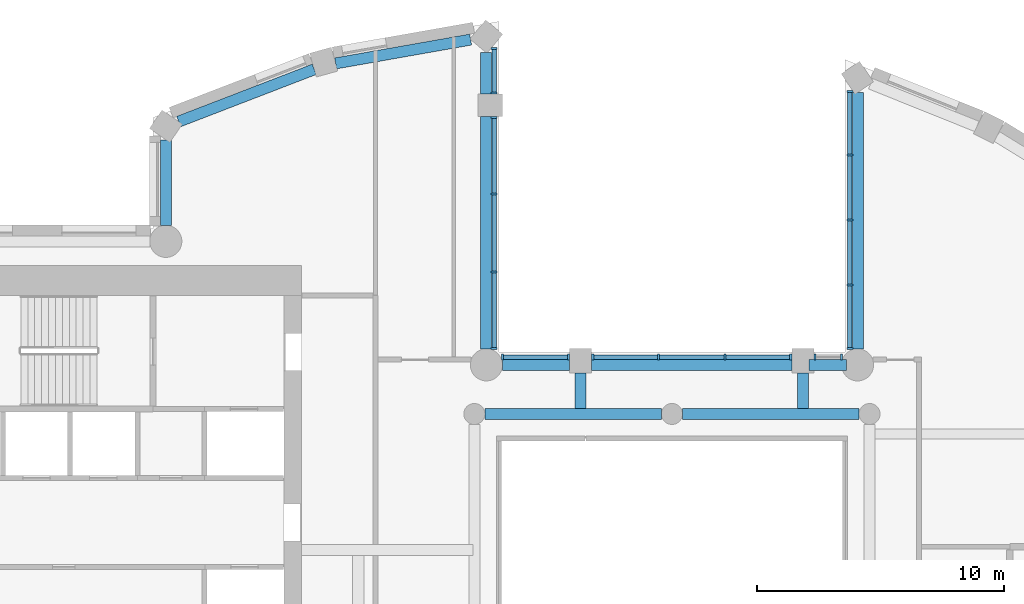
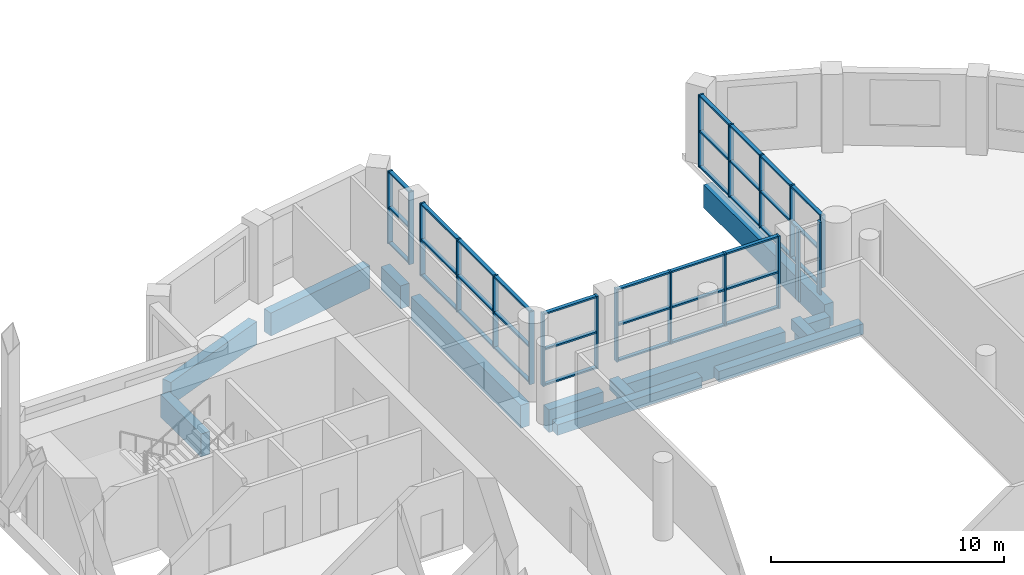
# One storey, part 3 of 18: 55 members, 13 beams, 6 elements without a shape of their own.
"""IFC4 building model written with IfcOpenShell, lengths in metres."""

from ifc_helpers import new_model, si_unit, direction, frame, origin, origin_2d, place, context, subcontext, project, spatial, rectangle, extrude, material, material_profile, profile_set, type_object, element, aggregate, save


model = new_model("IFC4")

# Units and contexts
model_context = context("Model", 3, precision=1e-05, world=origin(), true_north=direction((0.0, 1.0)))
body_context = subcontext(model_context, "Body", "Model", "MODEL_VIEW")
ifc_project = project(units=[si_unit("LENGTHUNIT", "METRE"), si_unit("AREAUNIT", "SQUARE_METRE"), si_unit("VOLUMEUNIT", "CUBIC_METRE"), si_unit("PLANEANGLEUNIT", "RADIAN"), si_unit("MASSUNIT", "GRAM", prefix="KILO")], contexts=[model_context])

# Site, building, storey
site_placement = place(None, origin())
site = spatial("IfcSite", under=ifc_project, at=site_placement, CompositionType="ELEMENT")
building_placement = place(site_placement, origin())
building = spatial("IfcBuilding", under=site, at=building_placement, Name="Cypress Arch Tower", CompositionType="ELEMENT")
storey_placement = place(building_placement, frame((0.0, 0.0, 288.5)))
storey = spatial("IfcBuildingStorey", under=building, at=storey_placement, Name="L65", CompositionType="ELEMENT", Elevation=288.5)

# Beams
ifc_material_1 = material(Name="Concrete C50/60", Category="concrete")
ifc_material_profile_1 = material_profile(ifc_material_1, rectangle(XDim=0.449951171875, YDim=0.550048828125, at=origin_2d()), Name="RC 450x550")
ifc_profile_set_1 = profile_set([ifc_material_profile_1], Name="Concrete C50/60")
beam_type_1 = type_object("IfcBeamType", Name="Floor beam RC 450x550 Concrete C50/60", PredefinedType="BEAM", material=ifc_profile_set_1)
for number, where, z_axis, x_axis, name in (
    (1, (-6.574951171875, 10.0, -0.574951171875), (1.0, 0.0, 0.0), (0.0, 1.0, 0.0), "Floor beam L65 RB007"),
    (2, (1.425048828125, 10.0, -0.574951171875), (1.0, 0.0, 0.0), (0.0, 1.0, 0.0), "Floor beam L65 RB008"),
):
    element("IfcBeam", number, at=place(storey_placement, frame(where, z_axis=z_axis, x_axis=x_axis)), inside=storey, type_object=beam_type_1, Name=name, PredefinedType="BEAM", context=body_context, shape_type="SweptSolid", body=[
        extrude(rectangle(XDim=0.449951171875, YDim=0.550048828125, at=origin_2d()), origin(), (0.0, 0.0, 1.0), 7.14990234375),
    ])
for number, where, z_axis, x_axis, name in (
    (3, (-2.699951171875, 10.22509765625, -0.574951171875), (0.0, 1.0, 0.0), (-1.0, 0.0, 0.0), "Floor beam L65 FB012"),
    (4, (6.300048828125, 10.22509765625, -0.574951171875), (0.0, 1.0, 0.0), (-1.0, 0.0, 0.0), "Floor beam L65 FB013"),
):
    element("IfcBeam", number, at=place(storey_placement, frame(where, z_axis=z_axis, x_axis=x_axis)), inside=storey, type_object=beam_type_1, Name=name, PredefinedType="BEAM", context=body_context, shape_type="SweptSolid", body=[
        extrude(rectangle(XDim=0.449951171875, YDim=0.550048828125, at=origin_2d()), origin(), (0.0, 0.0, 1.0), 1.4248046875),
    ])

# Curtain wall, members
ifc_material_2 = material(Name="Anodised aluminium, bronze finish, clear laminated double glazing", Category="aluminium")
curtain_wall_type = type_object("IfcCurtainWallType", Name="Curtain wall CW7 slot glazing", PredefinedType="NOTDEFINED", material=ifc_material_2)
curtain_wall_1_placement = place(storey_placement, origin())
curtain_wall_1 = element("IfcCurtainWall", 5, at=curtain_wall_1_placement, inside=storey, type_object=curtain_wall_type, Name="Curtain wall L65 slot C00.0", PredefinedType="NOTDEFINED")
ifc_material_3 = material(Name="Anodised aluminium, bronze finish", Category="aluminium")
ifc_material_profile_2 = material_profile(ifc_material_3, rectangle(XDim=0.239990234375, YDim=0.0849609375, at=origin_2d()), Name="Mullion 85x240")
ifc_profile_set_2 = profile_set([ifc_material_profile_2], Name="Anodised aluminium, bronze finish")
member_type_1 = type_object("IfcMemberType", Name="Mullion CW7 85x240", PredefinedType="MULLION", material=ifc_profile_set_2)
member_1_placement = place(storey_placement, frame((8.199951171875, 23.060302734375, 0.0), z_axis=(0.0, 0.0, 1.0), x_axis=(1.0, 0.0, 0.0)))
member_1 = element("IfcMember", 6, at=member_1_placement, type_object=member_type_1, Name="CW7 mullion 1", PredefinedType="MULLION", context=body_context, shape_type="SweptSolid", body=[
    extrude(rectangle(XDim=0.239990234375, YDim=0.0849609375, at=origin_2d()), origin(), (0.0, 0.0, 1.0), 3.800048828125),
])
member_2_placement = place(storey_placement, frame((8.199951171875, 20.477294921875, 0.0), z_axis=(0.0, 0.0, 1.0), x_axis=(1.0, 0.0, 0.0)))
member_2 = element("IfcMember", 7, at=member_2_placement, type_object=member_type_1, Name="CW7 mullion 2", PredefinedType="MULLION", context=body_context, shape_type="SweptSolid", body=[
    extrude(rectangle(XDim=0.239990234375, YDim=0.0849609375, at=origin_2d()), origin(), (0.0, 0.0, 1.0), 3.800048828125),
])
member_3_placement = place(storey_placement, frame((8.199951171875, 17.85205078125, 0.0), z_axis=(0.0, 0.0, 1.0), x_axis=(1.0, 0.0, 0.0)))
member_3 = element("IfcMember", 8, at=member_3_placement, type_object=member_type_1, Name="CW7 mullion 3", PredefinedType="MULLION", context=body_context, shape_type="SweptSolid", body=[
    extrude(rectangle(XDim=0.239990234375, YDim=0.0849609375, at=origin_2d()), origin(), (0.0, 0.0, 1.0), 3.800048828125),
])
member_4_placement = place(storey_placement, frame((8.199951171875, 15.226806640625, 0.0), z_axis=(0.0, 0.0, 1.0), x_axis=(1.0, 0.0, 0.0)))
member_4 = element("IfcMember", 9, at=member_4_placement, type_object=member_type_1, Name="CW7 mullion 4", PredefinedType="MULLION", context=body_context, shape_type="SweptSolid", body=[
    extrude(rectangle(XDim=0.239990234375, YDim=0.0849609375, at=origin_2d()), origin(), (0.0, 0.0, 1.0), 3.800048828125),
])
member_5_placement = place(storey_placement, frame((8.199951171875, 12.64404296875, 0.0), z_axis=(0.0, 0.0, 1.0), x_axis=(1.0, 0.0, 0.0)))
member_5 = element("IfcMember", 10, at=member_5_placement, type_object=member_type_1, Name="CW7 mullion 5", PredefinedType="MULLION", context=body_context, shape_type="SweptSolid", body=[
    extrude(rectangle(XDim=0.239990234375, YDim=0.0849609375, at=origin_2d()), origin(), (0.0, 0.0, 1.0), 3.800048828125),
])

curtain_wall_2_placement = place(storey_placement, origin())
curtain_wall_2 = element("IfcCurtainWall", 11, at=curtain_wall_2_placement, inside=storey, type_object=curtain_wall_type, Name="Curtain wall L65 slot C01.0", PredefinedType="NOTDEFINED")
member_6_placement = place(storey_placement, frame((7.85595703125, 12.300048828125, 0.0), z_axis=(0.0, 0.0, 1.0), x_axis=(0.0, -1.0, 0.0)))
member_6 = element("IfcMember", 12, at=member_6_placement, type_object=member_type_1, Name="CW7 mullion 1", PredefinedType="MULLION", context=body_context, shape_type="SweptSolid", body=[
    extrude(rectangle(XDim=0.239990234375, YDim=0.0849609375, at=origin_2d()), origin(), (0.0, 0.0, 1.0), 3.800048828125),
])
member_7_placement = place(storey_placement, frame((6.79248046875, 12.300048828125, 0.0), z_axis=(0.0, 0.0, 1.0), x_axis=(0.0, -1.0, 0.0)))
member_7 = element("IfcMember", 13, at=member_7_placement, type_object=member_type_1, Name="CW7 mullion 2", PredefinedType="MULLION", context=body_context, shape_type="SweptSolid", body=[
    extrude(rectangle(XDim=0.239990234375, YDim=0.0849609375, at=origin_2d()), origin(), (0.0, 0.0, 1.0), 3.800048828125),
])
aggregate(curtain_wall_2, [member_6, member_7])

curtain_wall_3_placement = place(storey_placement, origin())
curtain_wall_3 = element("IfcCurtainWall", 14, at=curtain_wall_3_placement, inside=storey, type_object=curtain_wall_type, Name="Curtain wall L65 slot C01.1", PredefinedType="NOTDEFINED")
member_8_placement = place(storey_placement, frame((5.8076171875, 12.300048828125, 0.0), z_axis=(0.0, 0.0, 1.0), x_axis=(0.0, -1.0, 0.0)))
member_8 = element("IfcMember", 15, at=member_8_placement, type_object=member_type_1, Name="CW7 mullion 1", PredefinedType="MULLION", context=body_context, shape_type="SweptSolid", body=[
    extrude(rectangle(XDim=0.239990234375, YDim=0.0849609375, at=origin_2d()), origin(), (0.0, 0.0, 1.0), 3.800048828125),
])
member_9_placement = place(storey_placement, frame((3.14990234375, 12.300048828125, 0.0), z_axis=(0.0, 0.0, 1.0), x_axis=(0.0, -1.0, 0.0)))
member_9 = element("IfcMember", 16, at=member_9_placement, type_object=member_type_1, Name="CW7 mullion 2", PredefinedType="MULLION", context=body_context, shape_type="SweptSolid", body=[
    extrude(rectangle(XDim=0.239990234375, YDim=0.0849609375, at=origin_2d()), origin(), (0.0, 0.0, 1.0), 3.800048828125),
])
member_10_placement = place(storey_placement, frame((0.449951171875, 12.300048828125, 0.0), z_axis=(0.0, 0.0, 1.0), x_axis=(0.0, -1.0, 0.0)))
member_10 = element("IfcMember", 17, at=member_10_placement, type_object=member_type_1, Name="CW7 mullion 3", PredefinedType="MULLION", context=body_context, shape_type="SweptSolid", body=[
    extrude(rectangle(XDim=0.239990234375, YDim=0.0849609375, at=origin_2d()), origin(), (0.0, 0.0, 1.0), 3.800048828125),
])
member_11_placement = place(storey_placement, frame((-2.20751953125, 12.300048828125, 0.0), z_axis=(0.0, 0.0, 1.0), x_axis=(0.0, -1.0, 0.0)))
member_11 = element("IfcMember", 18, at=member_11_placement, type_object=member_type_1, Name="CW7 mullion 4", PredefinedType="MULLION", context=body_context, shape_type="SweptSolid", body=[
    extrude(rectangle(XDim=0.239990234375, YDim=0.0849609375, at=origin_2d()), origin(), (0.0, 0.0, 1.0), 3.800048828125),
])

curtain_wall_4_placement = place(storey_placement, origin())
curtain_wall_4 = element("IfcCurtainWall", 19, at=curtain_wall_4_placement, inside=storey, type_object=curtain_wall_type, Name="Curtain wall L65 slot C01.2", PredefinedType="NOTDEFINED")
member_12_placement = place(storey_placement, frame((-3.1923828125, 12.300048828125, 0.0), z_axis=(0.0, 0.0, 1.0), x_axis=(0.0, -1.0, 0.0)))
member_12 = element("IfcMember", 20, at=member_12_placement, type_object=member_type_1, Name="CW7 mullion 1", PredefinedType="MULLION", context=body_context, shape_type="SweptSolid", body=[
    extrude(rectangle(XDim=0.239990234375, YDim=0.0849609375, at=origin_2d()), origin(), (0.0, 0.0, 1.0), 3.800048828125),
])
member_13_placement = place(storey_placement, frame((-5.85595703125, 12.300048828125, 0.0), z_axis=(0.0, 0.0, 1.0), x_axis=(0.0, -1.0, 0.0)))
member_13 = element("IfcMember", 21, at=member_13_placement, type_object=member_type_1, Name="CW7 mullion 2", PredefinedType="MULLION", context=body_context, shape_type="SweptSolid", body=[
    extrude(rectangle(XDim=0.239990234375, YDim=0.0849609375, at=origin_2d()), origin(), (0.0, 0.0, 1.0), 3.800048828125),
])

curtain_wall_5_placement = place(storey_placement, origin())
curtain_wall_5 = element("IfcCurtainWall", 22, at=curtain_wall_5_placement, inside=storey, type_object=curtain_wall_type, Name="Curtain wall L65 slot C02.0", PredefinedType="NOTDEFINED")
member_14_placement = place(storey_placement, frame((-6.199951171875, 12.64404296875, 0.0), z_axis=(0.0, 0.0, 1.0), x_axis=(-1.0, 0.0, 0.0)))
member_14 = element("IfcMember", 23, at=member_14_placement, type_object=member_type_1, Name="CW7 mullion 1", PredefinedType="MULLION", context=body_context, shape_type="SweptSolid", body=[
    extrude(rectangle(XDim=0.239990234375, YDim=0.0849609375, at=origin_2d()), origin(), (0.0, 0.0, 1.0), 3.800048828125),
])
member_15_placement = place(storey_placement, frame((-6.199951171875, 15.7509765625, 0.0), z_axis=(0.0, 0.0, 1.0), x_axis=(-1.0, 0.0, 0.0)))
member_15 = element("IfcMember", 24, at=member_15_placement, type_object=member_type_1, Name="CW7 mullion 2", PredefinedType="MULLION", context=body_context, shape_type="SweptSolid", body=[
    extrude(rectangle(XDim=0.239990234375, YDim=0.0849609375, at=origin_2d()), origin(), (0.0, 0.0, 1.0), 3.800048828125),
])
member_16_placement = place(storey_placement, frame((-6.199951171875, 18.900390625, 0.0), z_axis=(0.0, 0.0, 1.0), x_axis=(-1.0, 0.0, 0.0)))
member_16 = element("IfcMember", 25, at=member_16_placement, type_object=member_type_1, Name="CW7 mullion 3", PredefinedType="MULLION", context=body_context, shape_type="SweptSolid", body=[
    extrude(rectangle(XDim=0.239990234375, YDim=0.0849609375, at=origin_2d()), origin(), (0.0, 0.0, 1.0), 3.800048828125),
])
member_17_placement = place(storey_placement, frame((-6.199951171875, 22.007568359375, 0.0), z_axis=(0.0, 0.0, 1.0), x_axis=(-1.0, 0.0, 0.0)))
member_17 = element("IfcMember", 26, at=member_17_placement, type_object=member_type_1, Name="CW7 mullion 4", PredefinedType="MULLION", context=body_context, shape_type="SweptSolid", body=[
    extrude(rectangle(XDim=0.239990234375, YDim=0.0849609375, at=origin_2d()), origin(), (0.0, 0.0, 1.0), 3.800048828125),
])

curtain_wall_6_placement = place(storey_placement, origin())
curtain_wall_6 = element("IfcCurtainWall", 27, at=curtain_wall_6_placement, inside=storey, type_object=curtain_wall_type, Name="Curtain wall L65 slot C02.1", PredefinedType="NOTDEFINED")
member_18_placement = place(storey_placement, frame((-6.199951171875, 22.992431640625, 0.0), z_axis=(0.0, 0.0, 1.0), x_axis=(-1.0, 0.0, 0.0)))
member_18 = element("IfcMember", 28, at=member_18_placement, type_object=member_type_1, Name="CW7 mullion 1", PredefinedType="MULLION", context=body_context, shape_type="SweptSolid", body=[
    extrude(rectangle(XDim=0.239990234375, YDim=0.0849609375, at=origin_2d()), origin(), (0.0, 0.0, 1.0), 3.800048828125),
])
member_19_placement = place(storey_placement, frame((-6.199951171875, 24.789794921875, 0.0), z_axis=(0.0, 0.0, 1.0), x_axis=(-1.0, 0.0, 0.0)))
member_19 = element("IfcMember", 29, at=member_19_placement, type_object=member_type_1, Name="CW7 mullion 2", PredefinedType="MULLION", context=body_context, shape_type="SweptSolid", body=[
    extrude(rectangle(XDim=0.239990234375, YDim=0.0849609375, at=origin_2d()), origin(), (0.0, 0.0, 1.0), 3.800048828125),
])

# Beams
ifc_material_4 = material(Name="Concrete C50/60", Category="concrete")
ifc_material_profile_3 = material_profile(ifc_material_4, rectangle(XDim=0.449951171875, YDim=1.199951171875, at=origin_2d()), Name="RC 450x1200")
ifc_profile_set_3 = profile_set([ifc_material_profile_3], Name="Concrete C50/60")
beam_type_2 = type_object("IfcBeamType", Name="Spandrel beam RC 450x1200 Concrete C50/60", PredefinedType="SPANDREL", material=ifc_profile_set_3)
beam_1_placement = place(storey_placement, frame((8.52490234375, 23.017578125, -1.550048828125), z_axis=(0.0, -1.0, 0.0), x_axis=(1.0, 0.0, 0.0)))
element("IfcBeam", 30, at=beam_1_placement, inside=storey, type_object=beam_type_2, Name="Spandrel beam L65 BC00-0", PredefinedType="SPANDREL", context=body_context, shape_type="SweptSolid", body=[
    extrude(rectangle(XDim=0.449951171875, YDim=1.199951171875, at=origin_2d()), origin(), (0.0, 0.0, 1.0), 10.380126953125),
])
beam_2_placement = place(storey_placement, frame((8.05615234375, 11.97509765625, -1.550048828125), z_axis=(-1.0, 0.0, 0.0), x_axis=(0.0, -1.0, 0.0)))
element("IfcBeam", 31, at=beam_2_placement, inside=storey, type_object=beam_type_2, Name="Spandrel beam L65 BC01-0", PredefinedType="SPANDREL", context=body_context, shape_type="SweptSolid", body=[
    extrude(rectangle(XDim=0.449951171875, YDim=1.199951171875, at=origin_2d()), origin(), (0.0, 0.0, 1.0), 1.5),
])
beam_3_placement = place(storey_placement, frame((5.85009765625, 11.97509765625, -1.550048828125), z_axis=(-1.0, 0.0, 0.0), x_axis=(0.0, -1.0, 0.0)))
element("IfcBeam", 32, at=beam_3_placement, inside=storey, type_object=beam_type_2, Name="Spandrel beam L65 BC01-1", PredefinedType="SPANDREL", context=body_context, shape_type="SweptSolid", body=[
    extrude(rectangle(XDim=0.449951171875, YDim=1.199951171875, at=origin_2d()), origin(), (0.0, 0.0, 1.0), 8.10009765625),
])
beam_4_placement = place(storey_placement, frame((-3.14990234375, 11.97509765625, -1.550048828125), z_axis=(-1.0, 0.0, 0.0), x_axis=(0.0, -1.0, 0.0)))
element("IfcBeam", 33, at=beam_4_placement, inside=storey, type_object=beam_type_2, Name="Spandrel beam L65 BC01-2", PredefinedType="SPANDREL", context=body_context, shape_type="SweptSolid", body=[
    extrude(rectangle(XDim=0.449951171875, YDim=1.199951171875, at=origin_2d()), origin(), (0.0, 0.0, 1.0), 2.712646484375),
])
beam_5_placement = place(storey_placement, frame((-6.52490234375, 12.637451171875, -1.550048828125), z_axis=(0.0, 1.0, 0.0), x_axis=(-1.0, 0.0, 0.0)))
element("IfcBeam", 34, at=beam_5_placement, inside=storey, type_object=beam_type_2, Name="Spandrel beam L65 BC02-0", PredefinedType="SPANDREL", context=body_context, shape_type="SweptSolid", body=[
    extrude(rectangle(XDim=0.449951171875, YDim=1.199951171875, at=origin_2d()), origin(), (0.0, 0.0, 1.0), 9.41259765625),
])
beam_6_placement = place(storey_placement, frame((-6.52490234375, 22.949951171875, -1.550048828125), z_axis=(0.0, 1.0, 0.0), x_axis=(-1.0, 0.0, 0.0)))
element("IfcBeam", 35, at=beam_6_placement, inside=storey, type_object=beam_type_2, Name="Spandrel beam L65 BC02-1", PredefinedType="SPANDREL", context=body_context, shape_type="SweptSolid", body=[
    extrude(rectangle(XDim=0.449951171875, YDim=1.199951171875, at=origin_2d()), origin(), (0.0, 0.0, 1.0), 1.6796875),
])
beam_7_placement = place(storey_placement, frame((-7.14990234375, 25.154052734375, -1.550048828125), z_axis=(-0.984800388539, -0.173689938494, 0.0), x_axis=(0.173689938494, -0.984800388539, 0.0)))
element("IfcBeam", 36, at=beam_7_placement, inside=storey, type_object=beam_type_2, Name="Spandrel beam L65 BC03-0", PredefinedType="SPANDREL", context=body_context, shape_type="SweptSolid", body=[
    extrude(rectangle(XDim=0.449951171875, YDim=1.199951171875, at=origin_2d()), origin(), (0.0, 0.0, 1.0), 5.5478515625),
])
beam_8_placement = place(storey_placement, frame((-13.48046875, 23.94921875, -1.550048828125), z_axis=(-0.933138853319, -0.359516175472, 0.0), x_axis=(0.359516175472, -0.933138853319, 0.0)))
element("IfcBeam", 37, at=beam_8_placement, inside=storey, type_object=beam_type_2, Name="Spandrel beam L65 BC04-0", PredefinedType="SPANDREL", context=body_context, shape_type="SweptSolid", body=[
    extrude(rectangle(XDim=0.449951171875, YDim=1.199951171875, at=origin_2d()), origin(), (0.0, 0.0, 1.0), 5.878173828125),
])
beam_9_placement = place(storey_placement, frame((-19.47509765625, 21.09375, -1.550048828125), z_axis=(0.0, -1.0, 0.0), x_axis=(1.0, 0.0, 0.0)))
element("IfcBeam", 38, at=beam_9_placement, inside=storey, type_object=beam_type_2, Name="Spandrel beam L65 BC05-0", PredefinedType="SPANDREL", context=body_context, shape_type="SweptSolid", body=[
    extrude(rectangle(XDim=0.449951171875, YDim=1.199951171875, at=origin_2d()), origin(), (0.0, 0.0, 1.0), 3.456298828125),
])

# Member
ifc_material_5 = material(Name="Anodised aluminium, bronze finish", Category="aluminium")
ifc_material_profile_4 = material_profile(ifc_material_5, rectangle(XDim=0.179931640625, YDim=0.0849609375, at=origin_2d()), Name="Transom 85x180")
ifc_profile_set_4 = profile_set([ifc_material_profile_4], Name="Anodised aluminium, bronze finish")
member_type_2 = type_object("IfcMemberType", Name="Transom CW7 85x180", PredefinedType="USERDEFINED", material=ifc_profile_set_4)
member_20_placement = place(storey_placement, frame((8.199951171875, 23.017578125, 0.04248046875), z_axis=(0.0, -1.0, 0.0), x_axis=(1.0, 0.0, 0.0)))
member_20 = element("IfcMember", 39, at=member_20_placement, type_object=member_type_2, Name="CW7 transom 1.1", ObjectType="TRANSOM", PredefinedType="USERDEFINED", context=body_context, shape_type="SweptSolid", body=[
    extrude(rectangle(XDim=0.179931640625, YDim=0.0849609375, at=origin_2d()), origin(), (0.0, 0.0, 1.0), 2.497802734375),
])

member_21_placement = place(storey_placement, frame((8.199951171875, 23.017578125, 1.89990234375), z_axis=(0.0, -1.0, 0.0), x_axis=(1.0, 0.0, 0.0)))
member_21 = element("IfcMember", 40, at=member_21_placement, type_object=member_type_2, Name="CW7 transom 1.2", ObjectType="TRANSOM", PredefinedType="USERDEFINED", context=body_context, shape_type="SweptSolid", body=[
    extrude(rectangle(XDim=0.179931640625, YDim=0.0849609375, at=origin_2d()), origin(), (0.0, 0.0, 1.0), 2.497802734375),
])

member_22_placement = place(storey_placement, frame((8.199951171875, 23.017578125, 3.757568359375), z_axis=(0.0, -1.0, 0.0), x_axis=(1.0, 0.0, 0.0)))
member_22 = element("IfcMember", 41, at=member_22_placement, type_object=member_type_2, Name="CW7 transom 1.3", ObjectType="TRANSOM", PredefinedType="USERDEFINED", context=body_context, shape_type="SweptSolid", body=[
    extrude(rectangle(XDim=0.179931640625, YDim=0.0849609375, at=origin_2d()), origin(), (0.0, 0.0, 1.0), 2.497802734375),
])

member_23_placement = place(storey_placement, frame((8.199951171875, 20.434814453125, 0.04248046875), z_axis=(0.0, -1.0, 0.0), x_axis=(1.0, 0.0, 0.0)))
member_23 = element("IfcMember", 42, at=member_23_placement, type_object=member_type_2, Name="CW7 transom 2.1", ObjectType="TRANSOM", PredefinedType="USERDEFINED", context=body_context, shape_type="SweptSolid", body=[
    extrude(rectangle(XDim=0.179931640625, YDim=0.0849609375, at=origin_2d()), origin(), (0.0, 0.0, 1.0), 2.540283203125),
])

member_24_placement = place(storey_placement, frame((8.199951171875, 20.434814453125, 1.89990234375), z_axis=(0.0, -1.0, 0.0), x_axis=(1.0, 0.0, 0.0)))
member_24 = element("IfcMember", 43, at=member_24_placement, type_object=member_type_2, Name="CW7 transom 2.2", ObjectType="TRANSOM", PredefinedType="USERDEFINED", context=body_context, shape_type="SweptSolid", body=[
    extrude(rectangle(XDim=0.179931640625, YDim=0.0849609375, at=origin_2d()), origin(), (0.0, 0.0, 1.0), 2.540283203125),
])

member_25_placement = place(storey_placement, frame((8.199951171875, 20.434814453125, 3.757568359375), z_axis=(0.0, -1.0, 0.0), x_axis=(1.0, 0.0, 0.0)))
member_25 = element("IfcMember", 44, at=member_25_placement, type_object=member_type_2, Name="CW7 transom 2.3", ObjectType="TRANSOM", PredefinedType="USERDEFINED", context=body_context, shape_type="SweptSolid", body=[
    extrude(rectangle(XDim=0.179931640625, YDim=0.0849609375, at=origin_2d()), origin(), (0.0, 0.0, 1.0), 2.540283203125),
])

member_26_placement = place(storey_placement, frame((8.199951171875, 17.8095703125, 0.04248046875), z_axis=(0.0, -1.0, 0.0), x_axis=(1.0, 0.0, 0.0)))
member_26 = element("IfcMember", 45, at=member_26_placement, type_object=member_type_2, Name="CW7 transom 3.1", ObjectType="TRANSOM", PredefinedType="USERDEFINED", context=body_context, shape_type="SweptSolid", body=[
    extrude(rectangle(XDim=0.179931640625, YDim=0.0849609375, at=origin_2d()), origin(), (0.0, 0.0, 1.0), 2.540283203125),
])

member_27_placement = place(storey_placement, frame((8.199951171875, 17.8095703125, 1.89990234375), z_axis=(0.0, -1.0, 0.0), x_axis=(1.0, 0.0, 0.0)))
member_27 = element("IfcMember", 46, at=member_27_placement, type_object=member_type_2, Name="CW7 transom 3.2", ObjectType="TRANSOM", PredefinedType="USERDEFINED", context=body_context, shape_type="SweptSolid", body=[
    extrude(rectangle(XDim=0.179931640625, YDim=0.0849609375, at=origin_2d()), origin(), (0.0, 0.0, 1.0), 2.540283203125),
])

member_28_placement = place(storey_placement, frame((8.199951171875, 17.8095703125, 3.757568359375), z_axis=(0.0, -1.0, 0.0), x_axis=(1.0, 0.0, 0.0)))
member_28 = element("IfcMember", 47, at=member_28_placement, type_object=member_type_2, Name="CW7 transom 3.3", ObjectType="TRANSOM", PredefinedType="USERDEFINED", context=body_context, shape_type="SweptSolid", body=[
    extrude(rectangle(XDim=0.179931640625, YDim=0.0849609375, at=origin_2d()), origin(), (0.0, 0.0, 1.0), 2.540283203125),
])

member_29_placement = place(storey_placement, frame((8.199951171875, 15.184326171875, 0.04248046875), z_axis=(0.0, -1.0, 0.0), x_axis=(1.0, 0.0, 0.0)))
member_29 = element("IfcMember", 48, at=member_29_placement, type_object=member_type_2, Name="CW7 transom 4.1", ObjectType="TRANSOM", PredefinedType="USERDEFINED", context=body_context, shape_type="SweptSolid", body=[
    extrude(rectangle(XDim=0.179931640625, YDim=0.0849609375, at=origin_2d()), origin(), (0.0, 0.0, 1.0), 2.497802734375),
])

member_30_placement = place(storey_placement, frame((8.199951171875, 15.184326171875, 1.89990234375), z_axis=(0.0, -1.0, 0.0), x_axis=(1.0, 0.0, 0.0)))
member_30 = element("IfcMember", 49, at=member_30_placement, type_object=member_type_2, Name="CW7 transom 4.2", ObjectType="TRANSOM", PredefinedType="USERDEFINED", context=body_context, shape_type="SweptSolid", body=[
    extrude(rectangle(XDim=0.179931640625, YDim=0.0849609375, at=origin_2d()), origin(), (0.0, 0.0, 1.0), 2.497802734375),
])

member_31_placement = place(storey_placement, frame((8.199951171875, 15.184326171875, 3.757568359375), z_axis=(0.0, -1.0, 0.0), x_axis=(1.0, 0.0, 0.0)))
member_31 = element("IfcMember", 50, at=member_31_placement, type_object=member_type_2, Name="CW7 transom 4.3", ObjectType="TRANSOM", PredefinedType="USERDEFINED", context=body_context, shape_type="SweptSolid", body=[
    extrude(rectangle(XDim=0.179931640625, YDim=0.0849609375, at=origin_2d()), origin(), (0.0, 0.0, 1.0), 2.497802734375),
])

aggregate(curtain_wall_1, [member_1, member_2, member_3, member_4, member_5, member_20, member_21, member_22, member_23, member_24, member_25, member_26, member_27, member_28, member_29, member_30, member_31])

member_32_placement = place(storey_placement, frame((5.764892578125, 12.300048828125, 0.04248046875), z_axis=(-1.0, 0.0, 0.0), x_axis=(0.0, -1.0, 0.0)))
member_32 = element("IfcMember", 51, at=member_32_placement, type_object=member_type_2, Name="CW7 transom 1.1", ObjectType="TRANSOM", PredefinedType="USERDEFINED", context=body_context, shape_type="SweptSolid", body=[
    extrude(rectangle(XDim=0.179931640625, YDim=0.0849609375, at=origin_2d()), origin(), (0.0, 0.0, 1.0), 2.572509765625),
])

member_33_placement = place(storey_placement, frame((5.764892578125, 12.300048828125, 1.89990234375), z_axis=(-1.0, 0.0, 0.0), x_axis=(0.0, -1.0, 0.0)))
member_33 = element("IfcMember", 52, at=member_33_placement, type_object=member_type_2, Name="CW7 transom 1.2", ObjectType="TRANSOM", PredefinedType="USERDEFINED", context=body_context, shape_type="SweptSolid", body=[
    extrude(rectangle(XDim=0.179931640625, YDim=0.0849609375, at=origin_2d()), origin(), (0.0, 0.0, 1.0), 2.572509765625),
])

member_34_placement = place(storey_placement, frame((5.764892578125, 12.300048828125, 3.757568359375), z_axis=(-1.0, 0.0, 0.0), x_axis=(0.0, -1.0, 0.0)))
member_34 = element("IfcMember", 53, at=member_34_placement, type_object=member_type_2, Name="CW7 transom 1.3", ObjectType="TRANSOM", PredefinedType="USERDEFINED", context=body_context, shape_type="SweptSolid", body=[
    extrude(rectangle(XDim=0.179931640625, YDim=0.0849609375, at=origin_2d()), origin(), (0.0, 0.0, 1.0), 2.572509765625),
])

member_35_placement = place(storey_placement, frame((3.107421875, 12.300048828125, 0.04248046875), z_axis=(-1.0, 0.0, 0.0), x_axis=(0.0, -1.0, 0.0)))
member_35 = element("IfcMember", 54, at=member_35_placement, type_object=member_type_2, Name="CW7 transom 2.1", ObjectType="TRANSOM", PredefinedType="USERDEFINED", context=body_context, shape_type="SweptSolid", body=[
    extrude(rectangle(XDim=0.179931640625, YDim=0.0849609375, at=origin_2d()), origin(), (0.0, 0.0, 1.0), 2.614990234375),
])

member_36_placement = place(storey_placement, frame((3.107421875, 12.300048828125, 1.89990234375), z_axis=(-1.0, 0.0, 0.0), x_axis=(0.0, -1.0, 0.0)))
member_36 = element("IfcMember", 55, at=member_36_placement, type_object=member_type_2, Name="CW7 transom 2.2", ObjectType="TRANSOM", PredefinedType="USERDEFINED", context=body_context, shape_type="SweptSolid", body=[
    extrude(rectangle(XDim=0.179931640625, YDim=0.0849609375, at=origin_2d()), origin(), (0.0, 0.0, 1.0), 2.614990234375),
])

member_37_placement = place(storey_placement, frame((3.107421875, 12.300048828125, 3.757568359375), z_axis=(-1.0, 0.0, 0.0), x_axis=(0.0, -1.0, 0.0)))
member_37 = element("IfcMember", 56, at=member_37_placement, type_object=member_type_2, Name="CW7 transom 2.3", ObjectType="TRANSOM", PredefinedType="USERDEFINED", context=body_context, shape_type="SweptSolid", body=[
    extrude(rectangle(XDim=0.179931640625, YDim=0.0849609375, at=origin_2d()), origin(), (0.0, 0.0, 1.0), 2.614990234375),
])

member_38_placement = place(storey_placement, frame((0.407470703125, 12.300048828125, 0.04248046875), z_axis=(-1.0, 0.0, 0.0), x_axis=(0.0, -1.0, 0.0)))
member_38 = element("IfcMember", 57, at=member_38_placement, type_object=member_type_2, Name="CW7 transom 3.1", ObjectType="TRANSOM", PredefinedType="USERDEFINED", context=body_context, shape_type="SweptSolid", body=[
    extrude(rectangle(XDim=0.179931640625, YDim=0.0849609375, at=origin_2d()), origin(), (0.0, 0.0, 1.0), 2.572509765625),
])

member_39_placement = place(storey_placement, frame((0.407470703125, 12.300048828125, 1.89990234375), z_axis=(-1.0, 0.0, 0.0), x_axis=(0.0, -1.0, 0.0)))
member_39 = element("IfcMember", 58, at=member_39_placement, type_object=member_type_2, Name="CW7 transom 3.2", ObjectType="TRANSOM", PredefinedType="USERDEFINED", context=body_context, shape_type="SweptSolid", body=[
    extrude(rectangle(XDim=0.179931640625, YDim=0.0849609375, at=origin_2d()), origin(), (0.0, 0.0, 1.0), 2.572509765625),
])

member_40_placement = place(storey_placement, frame((0.407470703125, 12.300048828125, 3.757568359375), z_axis=(-1.0, 0.0, 0.0), x_axis=(0.0, -1.0, 0.0)))
member_40 = element("IfcMember", 59, at=member_40_placement, type_object=member_type_2, Name="CW7 transom 3.3", ObjectType="TRANSOM", PredefinedType="USERDEFINED", context=body_context, shape_type="SweptSolid", body=[
    extrude(rectangle(XDim=0.179931640625, YDim=0.0849609375, at=origin_2d()), origin(), (0.0, 0.0, 1.0), 2.572509765625),
])

aggregate(curtain_wall_3, [member_8, member_9, member_10, member_11, member_32, member_33, member_34, member_35, member_36, member_37, member_38, member_39, member_40])

member_41_placement = place(storey_placement, frame((-3.235107421875, 12.300048828125, 0.04248046875), z_axis=(-1.0, 0.0, 0.0), x_axis=(0.0, -1.0, 0.0)))
member_41 = element("IfcMember", 60, at=member_41_placement, type_object=member_type_2, Name="CW7 transom 1.1", ObjectType="TRANSOM", PredefinedType="USERDEFINED", context=body_context, shape_type="SweptSolid", body=[
    extrude(rectangle(XDim=0.179931640625, YDim=0.0849609375, at=origin_2d()), origin(), (0.0, 0.0, 1.0), 2.578369140625),
])

member_42_placement = place(storey_placement, frame((-3.235107421875, 12.300048828125, 1.89990234375), z_axis=(-1.0, 0.0, 0.0), x_axis=(0.0, -1.0, 0.0)))
member_42 = element("IfcMember", 61, at=member_42_placement, type_object=member_type_2, Name="CW7 transom 1.2", ObjectType="TRANSOM", PredefinedType="USERDEFINED", context=body_context, shape_type="SweptSolid", body=[
    extrude(rectangle(XDim=0.179931640625, YDim=0.0849609375, at=origin_2d()), origin(), (0.0, 0.0, 1.0), 2.578369140625),
])

member_43_placement = place(storey_placement, frame((-3.235107421875, 12.300048828125, 3.757568359375), z_axis=(-1.0, 0.0, 0.0), x_axis=(0.0, -1.0, 0.0)))
member_43 = element("IfcMember", 62, at=member_43_placement, type_object=member_type_2, Name="CW7 transom 1.3", ObjectType="TRANSOM", PredefinedType="USERDEFINED", context=body_context, shape_type="SweptSolid", body=[
    extrude(rectangle(XDim=0.179931640625, YDim=0.0849609375, at=origin_2d()), origin(), (0.0, 0.0, 1.0), 2.578369140625),
])

aggregate(curtain_wall_4, [member_12, member_13, member_41, member_42, member_43])

member_44_placement = place(storey_placement, frame((-6.199951171875, 12.6865234375, 0.04248046875), z_axis=(0.0, 1.0, 0.0), x_axis=(-1.0, 0.0, 0.0)))
member_44 = element("IfcMember", 63, at=member_44_placement, type_object=member_type_2, Name="CW7 transom 1.1", ObjectType="TRANSOM", PredefinedType="USERDEFINED", context=body_context, shape_type="SweptSolid", body=[
    extrude(rectangle(XDim=0.179931640625, YDim=0.0849609375, at=origin_2d()), origin(), (0.0, 0.0, 1.0), 3.02197265625),
])

member_45_placement = place(storey_placement, frame((-6.199951171875, 12.6865234375, 1.89990234375), z_axis=(0.0, 1.0, 0.0), x_axis=(-1.0, 0.0, 0.0)))
member_45 = element("IfcMember", 64, at=member_45_placement, type_object=member_type_2, Name="CW7 transom 1.2", ObjectType="TRANSOM", PredefinedType="USERDEFINED", context=body_context, shape_type="SweptSolid", body=[
    extrude(rectangle(XDim=0.179931640625, YDim=0.0849609375, at=origin_2d()), origin(), (0.0, 0.0, 1.0), 3.02197265625),
])

member_46_placement = place(storey_placement, frame((-6.199951171875, 12.6865234375, 3.757568359375), z_axis=(0.0, 1.0, 0.0), x_axis=(-1.0, 0.0, 0.0)))
member_46 = element("IfcMember", 65, at=member_46_placement, type_object=member_type_2, Name="CW7 transom 1.3", ObjectType="TRANSOM", PredefinedType="USERDEFINED", context=body_context, shape_type="SweptSolid", body=[
    extrude(rectangle(XDim=0.179931640625, YDim=0.0849609375, at=origin_2d()), origin(), (0.0, 0.0, 1.0), 3.02197265625),
])

member_47_placement = place(storey_placement, frame((-6.199951171875, 15.79345703125, 0.04248046875), z_axis=(0.0, 1.0, 0.0), x_axis=(-1.0, 0.0, 0.0)))
member_47 = element("IfcMember", 66, at=member_47_placement, type_object=member_type_2, Name="CW7 transom 2.1", ObjectType="TRANSOM", PredefinedType="USERDEFINED", context=body_context, shape_type="SweptSolid", body=[
    extrude(rectangle(XDim=0.179931640625, YDim=0.0849609375, at=origin_2d()), origin(), (0.0, 0.0, 1.0), 3.064453125),
])

member_48_placement = place(storey_placement, frame((-6.199951171875, 15.79345703125, 1.89990234375), z_axis=(0.0, 1.0, 0.0), x_axis=(-1.0, 0.0, 0.0)))
member_48 = element("IfcMember", 67, at=member_48_placement, type_object=member_type_2, Name="CW7 transom 2.2", ObjectType="TRANSOM", PredefinedType="USERDEFINED", context=body_context, shape_type="SweptSolid", body=[
    extrude(rectangle(XDim=0.179931640625, YDim=0.0849609375, at=origin_2d()), origin(), (0.0, 0.0, 1.0), 3.064453125),
])

member_49_placement = place(storey_placement, frame((-6.199951171875, 15.79345703125, 3.757568359375), z_axis=(0.0, 1.0, 0.0), x_axis=(-1.0, 0.0, 0.0)))
member_49 = element("IfcMember", 68, at=member_49_placement, type_object=member_type_2, Name="CW7 transom 2.3", ObjectType="TRANSOM", PredefinedType="USERDEFINED", context=body_context, shape_type="SweptSolid", body=[
    extrude(rectangle(XDim=0.179931640625, YDim=0.0849609375, at=origin_2d()), origin(), (0.0, 0.0, 1.0), 3.064453125),
])

member_50_placement = place(storey_placement, frame((-6.199951171875, 18.943115234375, 0.04248046875), z_axis=(0.0, 1.0, 0.0), x_axis=(-1.0, 0.0, 0.0)))
member_50 = element("IfcMember", 69, at=member_50_placement, type_object=member_type_2, Name="CW7 transom 3.1", ObjectType="TRANSOM", PredefinedType="USERDEFINED", context=body_context, shape_type="SweptSolid", body=[
    extrude(rectangle(XDim=0.179931640625, YDim=0.0849609375, at=origin_2d()), origin(), (0.0, 0.0, 1.0), 3.02197265625),
])

member_51_placement = place(storey_placement, frame((-6.199951171875, 18.943115234375, 1.89990234375), z_axis=(0.0, 1.0, 0.0), x_axis=(-1.0, 0.0, 0.0)))
member_51 = element("IfcMember", 70, at=member_51_placement, type_object=member_type_2, Name="CW7 transom 3.2", ObjectType="TRANSOM", PredefinedType="USERDEFINED", context=body_context, shape_type="SweptSolid", body=[
    extrude(rectangle(XDim=0.179931640625, YDim=0.0849609375, at=origin_2d()), origin(), (0.0, 0.0, 1.0), 3.02197265625),
])

member_52_placement = place(storey_placement, frame((-6.199951171875, 18.943115234375, 3.757568359375), z_axis=(0.0, 1.0, 0.0), x_axis=(-1.0, 0.0, 0.0)))
member_52 = element("IfcMember", 71, at=member_52_placement, type_object=member_type_2, Name="CW7 transom 3.3", ObjectType="TRANSOM", PredefinedType="USERDEFINED", context=body_context, shape_type="SweptSolid", body=[
    extrude(rectangle(XDim=0.179931640625, YDim=0.0849609375, at=origin_2d()), origin(), (0.0, 0.0, 1.0), 3.02197265625),
])

aggregate(curtain_wall_5, [member_14, member_15, member_16, member_17, member_44, member_45, member_46, member_47, member_48, member_49, member_50, member_51, member_52])

member_53_placement = place(storey_placement, frame((-6.199951171875, 23.034912109375, 0.04248046875), z_axis=(0.0, 1.0, 0.0), x_axis=(-1.0, 0.0, 0.0)))
member_53 = element("IfcMember", 72, at=member_53_placement, type_object=member_type_2, Name="CW7 transom 1.1", ObjectType="TRANSOM", PredefinedType="USERDEFINED", context=body_context, shape_type="SweptSolid", body=[
    extrude(rectangle(XDim=0.179931640625, YDim=0.0849609375, at=origin_2d()), origin(), (0.0, 0.0, 1.0), 1.71240234375),
])

member_54_placement = place(storey_placement, frame((-6.199951171875, 23.034912109375, 1.89990234375), z_axis=(0.0, 1.0, 0.0), x_axis=(-1.0, 0.0, 0.0)))
member_54 = element("IfcMember", 73, at=member_54_placement, type_object=member_type_2, Name="CW7 transom 1.2", ObjectType="TRANSOM", PredefinedType="USERDEFINED", context=body_context, shape_type="SweptSolid", body=[
    extrude(rectangle(XDim=0.179931640625, YDim=0.0849609375, at=origin_2d()), origin(), (0.0, 0.0, 1.0), 1.71240234375),
])

member_55_placement = place(storey_placement, frame((-6.199951171875, 23.034912109375, 3.757568359375), z_axis=(0.0, 1.0, 0.0), x_axis=(-1.0, 0.0, 0.0)))
member_55 = element("IfcMember", 74, at=member_55_placement, type_object=member_type_2, Name="CW7 transom 1.3", ObjectType="TRANSOM", PredefinedType="USERDEFINED", context=body_context, shape_type="SweptSolid", body=[
    extrude(rectangle(XDim=0.179931640625, YDim=0.0849609375, at=origin_2d()), origin(), (0.0, 0.0, 1.0), 1.71240234375),
])

aggregate(curtain_wall_6, [member_18, member_19, member_53, member_54, member_55])

save(model, "model.ifc")
